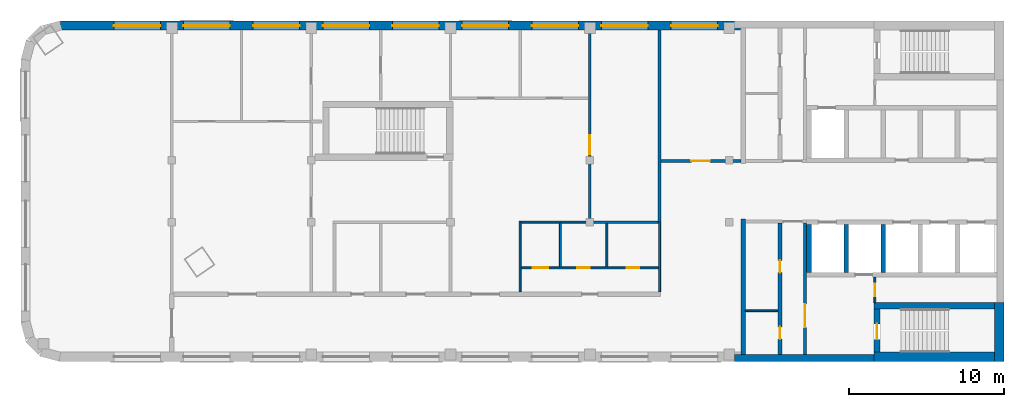
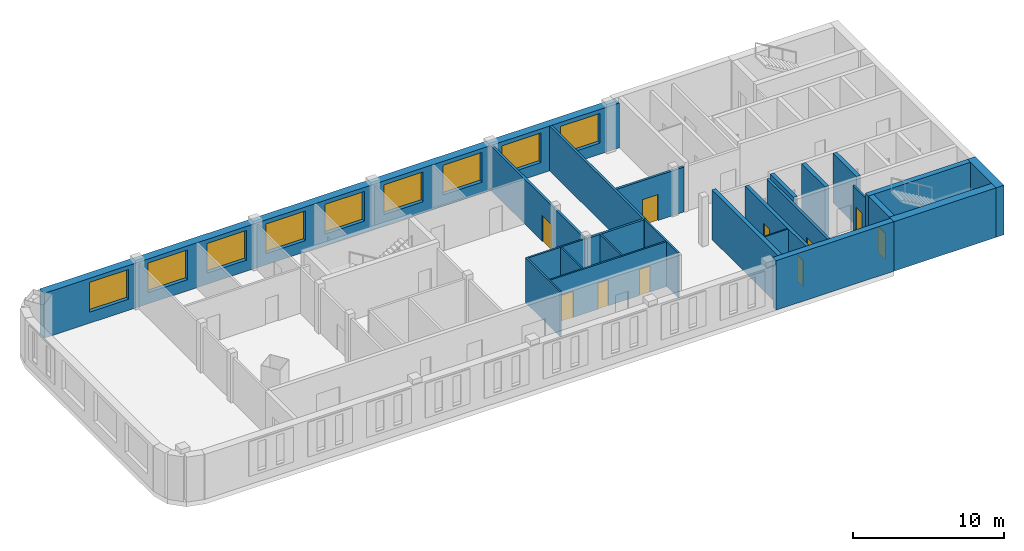
# One storey, part 3 of 6: 24 walls, 10 doors, 9 windows, 19 openings.
"""IFC4 building model written with IfcOpenShell, lengths in metres."""

from ifc_helpers import new_model, si_unit, direction, frame, frame_2d, origin, place, context, subcontext, project, spatial, rectangle, extrude, material, layer, layer_set, type_object, element, fill, save


model = new_model("IFC4")

# Units and contexts
model_context = context("Model", 3, precision=1e-05, world=origin(), true_north=direction((0.0, 1.0)))
body_context = subcontext(model_context, "Body", "Model", "MODEL_VIEW")
ifc_project = project(units=[si_unit("LENGTHUNIT", "METRE"), si_unit("AREAUNIT", "SQUARE_METRE"), si_unit("VOLUMEUNIT", "CUBIC_METRE"), si_unit("PLANEANGLEUNIT", "RADIAN"), si_unit("MASSUNIT", "GRAM", prefix="KILO")], contexts=[model_context])

# Site, building, storey
site_placement = place(None, origin())
site = spatial("IfcSite", under=ifc_project, at=site_placement, CompositionType="ELEMENT")
building_placement = place(site_placement, origin())
building = spatial("IfcBuilding", under=site, at=building_placement, Name="Skarvind Civic Tower", CompositionType="ELEMENT")
storey_placement = place(building_placement, frame((0.0, 0.0, 249.5)))
storey = spatial("IfcBuildingStorey", under=building, at=storey_placement, Name="L59", CompositionType="ELEMENT", Elevation=249.5)

# Wall
ifc_material_1 = material(Name="Acoustic gypsum board on steel studs", Category="steel")
ifc_layer_1 = layer(ifc_material_1, 0.175048828125)
ifc_layer_set_1 = layer_set([ifc_layer_1], Name="ACOUSTIC MEETING-ROOM PARTITION 175")
wall_type_1 = type_object("IfcWallType", Name="ACOUSTIC MEETING-ROOM PARTITION 175", PredefinedType="PARTITIONING", material=ifc_layer_set_1)
wall_1_placement = place(storey_placement, frame((81.337890625, 126.0, 0.0), z_axis=(0.0, 0.0, 1.0), x_axis=(1.0, 0.0, 0.0)))
element("IfcWall", 1, at=wall_1_placement, inside=storey, type_object=wall_type_1, Name="Partition 59.021", PredefinedType="PARTITIONING", context=body_context, shape_type="SweptSolid", body=[
    extrude(rectangle(XDim=4.32421875, YDim=0.175048828125, at=frame_2d((2.162109375, 0.0))), origin(), (0.0, 0.0, 1.0), 3.625),
])

# Wall, opening, door
wall_2_placement = place(storey_placement, frame((81.25, 125.912109375, 0.0), z_axis=(0.0, 0.0, 1.0), x_axis=(0.0, 1.0, 0.0)))
wall_2 = element("IfcWall", 2, at=wall_2_placement, inside=storey, type_object=wall_type_1, Name="Partition 59.022", PredefinedType="PARTITIONING", context=body_context, shape_type="SweptSolid", body=[
    extrude(rectangle(XDim=12.48779296875, YDim=0.175048828125, at=frame_2d((6.243896484375, 0.0))), origin(), (0.0, 0.0, 1.0), 3.625),
])
opening_1_placement = place(wall_2_placement, frame((4.489501953125, 0.0, 0.0)))
opening_1 = element("IfcOpeningElement", 3, at=opening_1_placement, cuts=wall_2, Name="Opening L59-D017", PredefinedType="OPENING", context=body_context, shape_type="SweptSolid", body=[
    extrude(rectangle(XDim=1.199951171875, YDim=2.10009765625, at=frame_2d((0.60009765625, 1.050048828125))), frame((0.0, 0.097412109375, 0.0), z_axis=(0.0, -1.0, 0.0), x_axis=(1.0, 0.0, 0.0)), (0.0, 0.0, 1.0), 0.195068359375),
])
ifc_material_2 = material(Name="Timber door leaf", Category="wood")
door_type_1 = type_object("IfcDoorType", Name="DOOR 1200X2100 DOUBLE TIMBER", OperationType="NOTDEFINED", PredefinedType="DOOR", material=ifc_material_2)
door_1_placement = place(opening_1_placement, origin())
door_1 = element("IfcDoor", 4, at=door_1_placement, inside=storey, type_object=door_type_1, Name="Door L59-D017", OperationType="DOUBLE_DOOR_SINGLE_SWING", OverallHeight=2.10009765625, OverallWidth=1.199951171875, PredefinedType="DOOR", context=body_context, shape_type="SweptSolid", body=[
    extrude(rectangle(XDim=1.199951171875, YDim=2.10009765625, at=frame_2d((0.60009765625, 1.050048828125))), frame((0.0, 0.02490234375, 0.0), z_axis=(0.0, -1.0, 0.0), x_axis=(1.0, 0.0, 0.0)), (0.0, 0.0, 1.0), 0.050048828125),
])
fill(opening_1, door_1)

# Wall
wall_3_placement = place(storey_placement, frame((85.75, 125.912109375, 0.0), z_axis=(0.0, 0.0, 1.0), x_axis=(0.0, 1.0, 0.0)))
element("IfcWall", 5, at=wall_3_placement, inside=storey, type_object=wall_type_1, Name="Partition 59.025", PredefinedType="PARTITIONING", context=body_context, shape_type="SweptSolid", body=[
    extrude(rectangle(XDim=12.48779296875, YDim=0.175048828125, at=frame_2d((6.243896484375, 0.0))), origin(), (0.0, 0.0, 1.0), 3.625),
])

# Wall, opening, door
wall_4_placement = place(storey_placement, frame((85.837890625, 129.949951171875, 0.0), z_axis=(0.0, 0.0, 1.0), x_axis=(1.0, 0.0, 0.0)))
wall_4 = element("IfcWall", 6, at=wall_4_placement, inside=storey, type_object=wall_type_1, Name="Partition 59.026", PredefinedType="PARTITIONING", context=body_context, shape_type="SweptSolid", body=[
    extrude(rectangle(XDim=5.162109375, YDim=0.175048828125, at=frame_2d((2.5810546875, 0.0))), origin(), (0.0, 0.0, 1.0), 3.625),
])
opening_2_placement = place(wall_4_placement, frame((1.970947265625, 0.0, 0.0)))
opening_2 = element("IfcOpeningElement", 7, at=opening_2_placement, cuts=wall_4, Name="Opening L59-D001", PredefinedType="OPENING", context=body_context, shape_type="SweptSolid", body=[
    extrude(rectangle(XDim=1.199951171875, YDim=2.10009765625, at=frame_2d((0.60009765625, 1.050048828125))), frame((0.0, 0.097412109375, 0.0), z_axis=(0.0, -1.0, 0.0), x_axis=(1.0, 0.0, 0.0)), (0.0, 0.0, 1.0), 0.195068359375),
])
door_2_placement = place(opening_2_placement, origin())
door_2 = element("IfcDoor", 8, at=door_2_placement, inside=storey, type_object=door_type_1, Name="Door L59-D001", OperationType="DOUBLE_DOOR_SINGLE_SWING", OverallHeight=2.10009765625, OverallWidth=1.199951171875, PredefinedType="DOOR", context=body_context, shape_type="SweptSolid", body=[
    extrude(rectangle(XDim=1.199951171875, YDim=2.10009765625, at=frame_2d((0.60009765625, 1.050048828125))), frame((0.0, 0.02490234375, 0.0), z_axis=(0.0, -1.0, 0.0), x_axis=(1.0, 0.0, 0.0)), (0.0, 0.0, 1.0), 0.050048828125),
])
fill(opening_2, door_2)

ifc_material_3 = material(Name="Fire-rated masonry partition", Category="masonry")
ifc_layer_2 = layer(ifc_material_3, 0.199951171875)
ifc_layer_set_2 = layer_set([ifc_layer_2], Name="Core enclosure wall 200")
wall_type_2 = type_object("IfcWallType", Name="Core enclosure wall 200", PredefinedType="PARTITIONING", material=ifc_layer_set_2)
wall_5_placement = place(storey_placement, frame((95.14990234375, 117.449951171875, 0.0), z_axis=(0.0, 0.0, 1.0), x_axis=(0.0, 1.0, 0.0)))
wall_5 = element("IfcWall", 9, at=wall_5_placement, inside=storey, type_object=wall_type_2, Name="Core wall C1", PredefinedType="PARTITIONING", context=body_context, shape_type="SweptSolid", body=[
    extrude(rectangle(XDim=8.5, YDim=0.199951171875, at=frame_2d((4.25, 0.0))), origin(), (0.0, 0.0, 1.0), 3.625),
])
opening_3_placement = place(wall_5_placement, frame((1.75, 0.0, 0.0)))
opening_3 = element("IfcOpeningElement", 10, at=opening_3_placement, cuts=wall_5, Name="Opening D-L59-C1-08", PredefinedType="OPENING", context=body_context, shape_type="SweptSolid", body=[
    extrude(rectangle(XDim=1.5, YDim=2.10009765625, at=frame_2d((0.75, 1.050048828125))), frame((0.0, 0.10986328125, 0.0), z_axis=(0.0, -1.0, 0.0), x_axis=(1.0, 0.0, 0.0)), (0.0, 0.0, 1.0), 0.219970703125),
])
ifc_material_4 = material(Name="Fire-rated steel door", Category="steel")
door_type_2 = type_object("IfcDoorType", Name="Fire door 1500", OperationType="NOTDEFINED", PredefinedType="DOOR", material=ifc_material_4)
door_3_placement = place(opening_3_placement, origin())
door_3 = element("IfcDoor", 11, at=door_3_placement, inside=storey, type_object=door_type_2, Name="Fire door", OperationType="DOUBLE_DOOR_SINGLE_SWING", OverallHeight=2.10009765625, OverallWidth=1.5, PredefinedType="DOOR", context=body_context, shape_type="SweptSolid", body=[
    extrude(rectangle(XDim=1.5, YDim=2.10009765625, at=frame_2d((0.75, 1.050048828125))), frame((0.0, 0.02490234375, 0.0), z_axis=(0.0, -1.0, 0.0), x_axis=(1.0, 0.0, 0.0)), (0.0, 0.0, 1.0), 0.050048828125),
])
fill(opening_3, door_3)

# Walls
ifc_material_5 = material(Name="Fire-rated plasterboard partition")
ifc_layer_3 = layer(ifc_material_5, 0.10009765625)
ifc_layer_set_3 = layer_set([ifc_layer_3], Name="Core partition wall 100")
wall_type_3 = type_object("IfcWallType", Name="Core partition wall 100", PredefinedType="PARTITIONING", material=ifc_layer_set_3)
wall_6_placement = place(storey_placement, frame((93.39990234375, 120.280029296875, 0.0), z_axis=(0.0, 0.0, 1.0), x_axis=(-1.0, 0.0, 0.0)))
element("IfcWall", 12, at=wall_6_placement, inside=storey, type_object=wall_type_3, Name="Core wall C1", PredefinedType="PARTITIONING", context=body_context, shape_type="SweptSolid", body=[
    extrude(rectangle(XDim=2.099853515625, YDim=0.10009765625, at=frame_2d((1.0498046875, 0.0))), origin(), (0.0, 0.0, 1.0), 3.625),
])
ifc_material_6 = material(Name="Concrete C60", Category="concrete")
ifc_layer_4 = layer(ifc_material_6, 0.300048828125)
ifc_layer_set_4 = layer_set([ifc_layer_4], Name="Core wall 300 C60")
wall_type_4 = type_object("IfcWallType", Name="Core wall 300 C60", PredefinedType="SHEAR", material=ifc_layer_set_4)
for number, where, z_axis, x_axis, name in (
    (13, (100.199951171875, 125.85009765625, 0.0), (0.0, 0.0, 1.0), (0.0, -1.0, 0.0), "Core wall C1 north lift row division 3 L59"),
    (14, (97.800048828125, 125.85009765625, 0.0), (0.0, 0.0, 1.0), (0.0, -1.0, 0.0), "Core wall C1 north lift row division 4 L59"),
    (15, (95.39990234375, 125.85009765625, 0.0), (0.0, 0.0, 1.0), (0.0, -1.0, 0.0), "Core wall C1 north lift row division 5 L59"),
):
    element("IfcWall", number, at=place(storey_placement, frame(where, z_axis=z_axis, x_axis=x_axis)), inside=storey, type_object=wall_type_4, Name=name, PredefinedType="SHEAR", context=body_context, shape_type="SweptSolid", body=[
        extrude(rectangle(XDim=3.10009765625, YDim=0.300048828125, at=frame_2d((1.550048828125, 0.0))), origin(), (0.0, 0.0, 1.0), 4.0),
    ])
wall_7_placement = place(storey_placement, frame((91.14990234375, 126.199951171875, 0.0), z_axis=(0.0, 0.0, 1.0), x_axis=(0.0, -1.0, 0.0)))
element("IfcWall", 16, at=wall_7_placement, inside=storey, type_object=wall_type_4, Name="Core wall C1 north inner face L59", PredefinedType="SHEAR", context=body_context, shape_type="SweptSolid", body=[
    extrude(rectangle(XDim=8.75, YDim=0.300048828125, at=frame_2d((4.375, 0.0))), origin(), (0.0, 0.0, 1.0), 4.0),
])
ifc_layer_5 = layer(ifc_material_6, 0.39990234375)
ifc_layer_set_5 = layer_set([ifc_layer_5], Name="Core wall 400 C60")
wall_type_5 = type_object("IfcWallType", Name="Core wall 400 C60", PredefinedType="SHEAR", material=ifc_layer_set_5)
wall_8_placement = place(storey_placement, frame((107.39990234375, 120.60009765625, 0.0), z_axis=(0.0, 0.0, 1.0), x_axis=(-1.0, 0.0, 0.0)))
element("IfcWall", 17, at=wall_8_placement, inside=storey, type_object=wall_type_5, Name="Core wall C1 north stair inner L59", PredefinedType="SHEAR", context=body_context, shape_type="SweptSolid", body=[
    extrude(rectangle(XDim=7.7998046875, YDim=0.39990234375, at=frame_2d((3.89990234375, 0.0))), origin(), (0.0, 0.0, 1.0), 4.0),
])

# Wall, opening, door
wall_9_placement = place(storey_placement, frame((99.800048828125, 120.39990234375, 0.0), z_axis=(0.0, 0.0, 1.0), x_axis=(0.0, -1.0, 0.0)))
wall_9 = element("IfcWall", 18, at=wall_9_placement, inside=storey, type_object=wall_type_5, Name="Core wall C1 north stair end L59", PredefinedType="SHEAR", context=body_context, shape_type="SweptSolid", body=[
    extrude(rectangle(XDim=2.7998046875, YDim=0.39990234375, at=frame_2d((1.39990234375, 0.0))), origin(), (0.0, 0.0, 1.0), 4.0),
])
opening_4_placement = place(wall_9_placement, frame((0.97509765625, 0.0, 0.0)))
opening_4 = element("IfcOpeningElement", 19, at=opening_4_placement, cuts=wall_9, Name="Opening D-L59-C1-09", PredefinedType="OPENING", context=body_context, shape_type="SweptSolid", body=[
    extrude(rectangle(XDim=1.0, YDim=2.10009765625, at=frame_2d((0.5, 1.050048828125))), frame((0.0, 0.2099609375, 0.0), z_axis=(0.0, -1.0, 0.0), x_axis=(1.0, 0.0, 0.0)), (0.0, 0.0, 1.0), 0.419921875),
])
door_type_3 = type_object("IfcDoorType", Name="Fire door 1000", OperationType="NOTDEFINED", PredefinedType="DOOR", material=ifc_material_4)
door_4_placement = place(opening_4_placement, origin())
door_4 = element("IfcDoor", 20, at=door_4_placement, inside=storey, type_object=door_type_3, Name="Fire door", OperationType="SINGLE_SWING_LEFT", OverallHeight=2.10009765625, OverallWidth=1.0, PredefinedType="DOOR", context=body_context, shape_type="SweptSolid", body=[
    extrude(rectangle(XDim=1.0, YDim=2.10009765625, at=frame_2d((0.5, 1.050048828125))), frame((0.0, 0.02490234375, 0.0), z_axis=(0.0, -1.0, 0.0), x_axis=(1.0, 0.0, 0.0)), (0.0, 0.0, 1.0), 0.050048828125),
])
fill(opening_4, door_4)

# Walls
ifc_layer_6 = layer(ifc_material_6, 0.449951171875)
ifc_layer_set_6 = layer_set([ifc_layer_6], Name="Core wall 450 C60")
wall_type_6 = type_object("IfcWallType", Name="Core wall 450 C60", PredefinedType="SHEAR", material=ifc_layer_set_6)
wall_10_placement = place(storey_placement, frame((99.60009765625, 117.22509765625, 0.0), z_axis=(0.0, 0.0, 1.0), x_axis=(-1.0, 0.0, 0.0)))
element("IfcWall", 21, at=wall_10_placement, inside=storey, type_object=wall_type_6, Name="Core wall C1 north side L59", PredefinedType="SHEAR", context=body_context, shape_type="SweptSolid", body=[
    extrude(rectangle(XDim=9.0, YDim=0.449951171875, at=frame_2d((4.5, 0.0))), origin(), (0.0, 0.0, 1.0), 4.0),
])
ifc_layer_7 = layer(ifc_material_6, 0.60009765625)
ifc_layer_set_7 = layer_set([ifc_layer_7], Name="Core wall 600 C60")
wall_type_7 = type_object("IfcWallType", Name="Core wall 600 C60", PredefinedType="SHEAR", material=ifc_layer_set_7)
wall_11_placement = place(storey_placement, frame((107.699951171875, 120.800048828125, 0.0), z_axis=(0.0, 0.0, 1.0), x_axis=(0.0, -1.0, 0.0)))
element("IfcWall", 22, at=wall_11_placement, inside=storey, type_object=wall_type_7, Name="Core wall C1 tip at the north stair L59", PredefinedType="SHEAR", context=body_context, shape_type="SweptSolid", body=[
    extrude(rectangle(XDim=3.800048828125, YDim=0.60009765625, at=frame_2d((1.89990234375, 0.0))), origin(), (0.0, 0.0, 1.0), 4.0),
])
wall_12_placement = place(storey_placement, frame((107.39990234375, 117.300048828125, 0.0), z_axis=(0.0, 0.0, 1.0), x_axis=(-1.0, 0.0, 0.0)))
element("IfcWall", 23, at=wall_12_placement, inside=storey, type_object=wall_type_7, Name="Core wall C1 north side at the stair L59", PredefinedType="SHEAR", context=body_context, shape_type="SweptSolid", body=[
    extrude(rectangle(XDim=7.7998046875, YDim=0.60009765625, at=frame_2d((3.89990234375, 0.0))), origin(), (0.0, 0.0, 1.0), 4.0),
])

# Wall, opening, door
ifc_layer_8 = layer(ifc_material_3, 0.125)
ifc_layer_set_8 = layer_set([ifc_layer_8], Name="Riser wall 125")
wall_type_8 = type_object("IfcWallType", Name="Riser wall 125", PredefinedType="PARTITIONING", material=ifc_layer_set_8)
wall_13_placement = place(storey_placement, frame((99.66259765625, 120.800048828125, 0.0), z_axis=(0.0, 0.0, 1.0), x_axis=(0.0, 1.0, 0.0)))
wall_13 = element("IfcWall", 24, at=wall_13_placement, inside=storey, type_object=wall_type_8, Name="Core wall C1", PredefinedType="PARTITIONING", context=body_context, shape_type="SweptSolid", body=[
    extrude(rectangle(XDim=1.64990234375, YDim=0.125, at=frame_2d((0.824951171875, 0.0))), origin(), (0.0, 0.0, 1.0), 3.625),
])
opening_5_placement = place(wall_13_placement, frame((0.425048828125, 0.0, 0.0)))
opening_5 = element("IfcOpeningElement", 25, at=opening_5_placement, cuts=wall_13, Name="Opening D-L59-C1-10", PredefinedType="OPENING", context=body_context, shape_type="SweptSolid", body=[
    extrude(rectangle(XDim=0.800048828125, YDim=2.10009765625, at=frame_2d((0.39990234375, 1.050048828125))), frame((0.0, 0.072509765625, 0.0), z_axis=(0.0, -1.0, 0.0), x_axis=(1.0, 0.0, 0.0)), (0.0, 0.0, 1.0), 0.14501953125),
])
door_type_4 = type_object("IfcDoorType", Name="Core riser door 800", OperationType="NOTDEFINED", PredefinedType="DOOR", material=ifc_material_4)
door_5_placement = place(opening_5_placement, origin())
door_5 = element("IfcDoor", 26, at=door_5_placement, inside=storey, type_object=door_type_4, Name="Riser door", OperationType="SINGLE_SWING_RIGHT", OverallHeight=2.10009765625, OverallWidth=0.800048828125, PredefinedType="DOOR", context=body_context, shape_type="SweptSolid", body=[
    extrude(rectangle(XDim=0.800048828125, YDim=2.10009765625, at=frame_2d((0.39990234375, 1.050048828125))), frame((0.0, 0.02490234375, 0.0), z_axis=(0.0, -1.0, 0.0), x_axis=(1.0, 0.0, 0.0)), (0.0, 0.0, 1.0), 0.050048828125),
])
fill(opening_5, door_5)

# Wall, openings, doors
ifc_layer_9 = layer(ifc_material_3, 0.25)
ifc_layer_set_9 = layer_set([ifc_layer_9], Name="Service block wall 250")
wall_type_9 = type_object("IfcWallType", Name="Service block wall 250", PredefinedType="PARTITIONING", material=ifc_layer_set_9)
wall_14_placement = place(storey_placement, frame((93.52490234375, 117.449951171875, 0.0), z_axis=(0.0, 0.0, 1.0), x_axis=(0.0, 1.0, 0.0)))
wall_14 = element("IfcWall", 27, at=wall_14_placement, inside=storey, type_object=wall_type_9, Name="Core wall C1", PredefinedType="PARTITIONING", context=body_context, shape_type="SweptSolid", body=[
    extrude(rectangle(XDim=8.5, YDim=0.25, at=frame_2d((4.25, 0.0))), origin(), (0.0, 0.0, 1.0), 3.625),
])
opening_6_placement = place(wall_14_placement, frame((5.2900390625, 0.0, 0.0)))
opening_6 = element("IfcOpeningElement", 28, at=opening_6_placement, cuts=wall_14, Name="Opening D-L59-C1-11", PredefinedType="OPENING", context=body_context, shape_type="SweptSolid", body=[
    extrude(rectangle(XDim=0.800048828125, YDim=2.10009765625, at=frame_2d((0.39990234375, 1.050048828125))), frame((0.0, 0.135009765625, 0.0), z_axis=(0.0, -1.0, 0.0), x_axis=(1.0, 0.0, 0.0)), (0.0, 0.0, 1.0), 0.27001953125),
])
opening_7_placement = place(wall_14_placement, frame((0.989990234375, 0.0, 0.0)))
opening_7 = element("IfcOpeningElement", 29, at=opening_7_placement, cuts=wall_14, Name="Opening D-L59-C1-12", PredefinedType="OPENING", context=body_context, shape_type="SweptSolid", body=[
    extrude(rectangle(XDim=0.800048828125, YDim=2.10009765625, at=frame_2d((0.39990234375, 1.050048828125))), frame((0.0, 0.135009765625, 0.0), z_axis=(0.0, -1.0, 0.0), x_axis=(1.0, 0.0, 0.0)), (0.0, 0.0, 1.0), 0.27001953125),
])
door_6_placement = place(opening_6_placement, origin())
door_6 = element("IfcDoor", 30, at=door_6_placement, inside=storey, type_object=door_type_4, Name="Riser door", OperationType="SINGLE_SWING_LEFT", OverallHeight=2.10009765625, OverallWidth=0.800048828125, PredefinedType="DOOR", context=body_context, shape_type="SweptSolid", body=[
    extrude(rectangle(XDim=0.800048828125, YDim=2.10009765625, at=frame_2d((0.39990234375, 1.050048828125))), frame((0.0, 0.02490234375, 0.0), z_axis=(0.0, -1.0, 0.0), x_axis=(1.0, 0.0, 0.0)), (0.0, 0.0, 1.0), 0.050048828125),
])
fill(opening_6, door_6)
door_7_placement = place(opening_7_placement, origin())
door_7 = element("IfcDoor", 31, at=door_7_placement, inside=storey, type_object=door_type_4, Name="Riser door", OperationType="SINGLE_SWING_RIGHT", OverallHeight=2.10009765625, OverallWidth=0.800048828125, PredefinedType="DOOR", context=body_context, shape_type="SweptSolid", body=[
    extrude(rectangle(XDim=0.800048828125, YDim=2.10009765625, at=frame_2d((0.39990234375, 1.050048828125))), frame((0.0, 0.02490234375, 0.0), z_axis=(0.0, -1.0, 0.0), x_axis=(1.0, 0.0, 0.0)), (0.0, 0.0, 1.0), 0.050048828125),
])
fill(opening_7, door_7)

# Wall
ifc_material_7 = material(Name="Moisture-resistant gypsum board on steel studs", Category="steel")
ifc_layer_10 = layer(ifc_material_7, 0.125)
ifc_layer_set_10 = layer_set([ifc_layer_10], Name="WC PARTITION 125")
wall_type_10 = type_object("IfcWallType", Name="WC PARTITION 125", PredefinedType="PARTITIONING", material=ifc_layer_set_10)
wall_15_placement = place(storey_placement, frame((76.75, 121.5, 0.0), z_axis=(0.0, 0.0, 1.0), x_axis=(0.0, 1.0, 0.0)))
element("IfcWall", 32, at=wall_15_placement, inside=storey, type_object=wall_type_10, Name="Partition 59.016", PredefinedType="PARTITIONING", context=body_context, shape_type="SweptSolid", body=[
    extrude(rectangle(XDim=4.56201171875, YDim=0.125, at=frame_2d((2.281005859375, 0.0))), origin(), (0.0, 0.0, 1.0), 3.625),
])

# Wall, openings, doors
wall_16_placement = place(storey_placement, frame((76.81201171875, 123.050048828125, 0.0), z_axis=(0.0, 0.0, 1.0), x_axis=(1.0, 0.0, 0.0)))
wall_16 = element("IfcWall", 33, at=wall_16_placement, inside=storey, type_object=wall_type_10, Name="Partition 59.017", PredefinedType="PARTITIONING", context=body_context, shape_type="SweptSolid", body=[
    extrude(rectangle(XDim=8.8759765625, YDim=0.125, at=frame_2d((4.43798828125, 0.0))), origin(), (0.0, 0.0, 1.0), 3.625),
])
opening_8_placement = place(wall_16_placement, frame((6.81689453125, 0.0, 0.0)))
opening_8 = element("IfcOpeningElement", 34, at=opening_8_placement, cuts=wall_16, Name="Opening L59-D003", PredefinedType="OPENING", context=body_context, shape_type="SweptSolid", body=[
    extrude(rectangle(XDim=0.800048828125, YDim=2.10009765625, at=frame_2d((0.39990234375, 1.050048828125))), frame((0.0, 0.072509765625, 0.0), z_axis=(0.0, -1.0, 0.0), x_axis=(1.0, 0.0, 0.0)), (0.0, 0.0, 1.0), 0.14501953125),
])
opening_9_placement = place(wall_16_placement, frame((3.637939453125, 0.0, 0.0)))
opening_9 = element("IfcOpeningElement", 35, at=opening_9_placement, cuts=wall_16, Name="Opening L59-D004", PredefinedType="OPENING", context=body_context, shape_type="SweptSolid", body=[
    extrude(rectangle(XDim=0.800048828125, YDim=2.10009765625, at=frame_2d((0.39990234375, 1.050048828125))), frame((0.0, 0.072509765625, 0.0), z_axis=(0.0, -1.0, 0.0), x_axis=(1.0, 0.0, 0.0)), (0.0, 0.0, 1.0), 0.14501953125),
])
opening_10_placement = place(wall_16_placement, frame((0.759033203125, 0.0, 0.0)))
opening_10 = element("IfcOpeningElement", 36, at=opening_10_placement, cuts=wall_16, Name="Opening L59-D005", PredefinedType="OPENING", context=body_context, shape_type="SweptSolid", body=[
    extrude(rectangle(XDim=1.0, YDim=2.10009765625, at=frame_2d((0.5, 1.050048828125))), frame((0.0, 0.072509765625, 0.0), z_axis=(0.0, -1.0, 0.0), x_axis=(1.0, 0.0, 0.0)), (0.0, 0.0, 1.0), 0.14501953125),
])
door_type_5 = type_object("IfcDoorType", Name="D1 1000x2100", OperationType="NOTDEFINED", PredefinedType="DOOR", material=ifc_material_2)
door_8_placement = place(opening_10_placement, origin())
door_8 = element("IfcDoor", 37, at=door_8_placement, inside=storey, type_object=door_type_5, Name="Door L59-D005", OperationType="SINGLE_SWING_LEFT", OverallHeight=2.10009765625, OverallWidth=1.0, PredefinedType="DOOR", context=body_context, shape_type="SweptSolid", body=[
    extrude(rectangle(XDim=1.0, YDim=2.10009765625, at=frame_2d((0.5, 1.050048828125))), frame((0.0, 0.02490234375, 0.0), z_axis=(0.0, -1.0, 0.0), x_axis=(1.0, 0.0, 0.0)), (0.0, 0.0, 1.0), 0.050048828125),
])
fill(opening_10, door_8)
door_type_6 = type_object("IfcDoorType", Name="DOOR 800X2100 TIMBER", OperationType="NOTDEFINED", PredefinedType="DOOR", material=ifc_material_2)
door_9_placement = place(opening_8_placement, origin())
door_9 = element("IfcDoor", 38, at=door_9_placement, inside=storey, type_object=door_type_6, Name="Door L59-D003", OperationType="SINGLE_SWING_RIGHT", OverallHeight=2.10009765625, OverallWidth=0.800048828125, PredefinedType="DOOR", context=body_context, shape_type="SweptSolid", body=[
    extrude(rectangle(XDim=0.800048828125, YDim=2.10009765625, at=frame_2d((0.39990234375, 1.050048828125))), frame((0.0, 0.02490234375, 0.0), z_axis=(0.0, -1.0, 0.0), x_axis=(1.0, 0.0, 0.0)), (0.0, 0.0, 1.0), 0.050048828125),
])
fill(opening_8, door_9)
door_10_placement = place(opening_9_placement, origin())
door_10 = element("IfcDoor", 39, at=door_10_placement, inside=storey, type_object=door_type_6, Name="Door L59-D004", OperationType="SINGLE_SWING_LEFT", OverallHeight=2.10009765625, OverallWidth=0.800048828125, PredefinedType="DOOR", context=body_context, shape_type="SweptSolid", body=[
    extrude(rectangle(XDim=0.800048828125, YDim=2.10009765625, at=frame_2d((0.39990234375, 1.050048828125))), frame((0.0, 0.02490234375, 0.0), z_axis=(0.0, -1.0, 0.0), x_axis=(1.0, 0.0, 0.0)), (0.0, 0.0, 1.0), 0.050048828125),
])
fill(opening_9, door_10)

# Walls
wall_17_placement = place(storey_placement, frame((76.81201171875, 126.0, 0.0), z_axis=(0.0, 0.0, 1.0), x_axis=(1.0, 0.0, 0.0)))
element("IfcWall", 40, at=wall_17_placement, inside=storey, type_object=wall_type_10, Name="Partition 59.018", PredefinedType="PARTITIONING", context=body_context, shape_type="SweptSolid", body=[
    extrude(rectangle(XDim=4.44091796875, YDim=0.125, at=frame_2d((2.220458984375, 0.0))), origin(), (0.0, 0.0, 1.0), 3.625),
])
wall_18_placement = place(storey_placement, frame((79.35009765625, 125.93798828125, 0.0), z_axis=(0.0, 0.0, 1.0), x_axis=(0.0, -1.0, 0.0)))
element("IfcWall", 41, at=wall_18_placement, inside=storey, type_object=wall_type_10, Name="Partition 59.020", PredefinedType="PARTITIONING", context=body_context, shape_type="SweptSolid", body=[
    extrude(rectangle(XDim=2.825927734375, YDim=0.125, at=frame_2d((1.4130859375, 0.0))), origin(), (0.0, 0.0, 1.0), 3.625),
])
wall_19_placement = place(storey_placement, frame((82.35009765625, 125.912109375, 0.0), z_axis=(0.0, 0.0, 1.0), x_axis=(0.0, -1.0, 0.0)))
element("IfcWall", 42, at=wall_19_placement, inside=storey, type_object=wall_type_10, Name="Partition 59.023", PredefinedType="PARTITIONING", context=body_context, shape_type="SweptSolid", body=[
    extrude(rectangle(XDim=2.800048828125, YDim=0.125, at=frame_2d((1.39990234375, 0.0))), origin(), (0.0, 0.0, 1.0), 3.625),
])
wall_20_placement = place(storey_placement, frame((85.75, 121.5, 0.0), z_axis=(0.0, 0.0, 1.0), x_axis=(0.0, 1.0, 0.0)))
element("IfcWall", 43, at=wall_20_placement, inside=storey, type_object=wall_type_10, Name="Partition 59.024", PredefinedType="PARTITIONING", context=body_context, shape_type="SweptSolid", body=[
    extrude(rectangle(XDim=4.5029296875, YDim=0.125, at=frame_2d((2.25146484375, 0.0))), origin(), (0.0, 0.0, 1.0), 3.625),
])

# Wall, openings, windows
ifc_material_8 = material(Name="Standing-seam zinc cladding on insulated backing")
ifc_layer_11 = layer(ifc_material_8, 0.60009765625)
ifc_layer_set_11 = layer_set([ifc_layer_11], Name="WX2 ZINC-CLAD FACADE WALL 600")
wall_type_11 = type_object("IfcWallType", Name="WX2 ZINC-CLAD FACADE WALL 600", PredefinedType="SOLIDWALL", material=ifc_layer_set_11)
wall_21_placement = place(storey_placement, frame((47.070068359375, 138.699951171875, 0.0), z_axis=(0.0, 0.0, 1.0), x_axis=(1.0, 0.0, 0.0)))
wall_21 = element("IfcWall", 44, at=wall_21_placement, inside=storey, type_object=wall_type_11, Name="ZINC-CLAD FACADE WALL", PredefinedType="SOLIDWALL", context=body_context, shape_type="SweptSolid", body=[
    extrude(rectangle(XDim=43.909912109375, YDim=0.60009765625, at=frame_2d((21.955078125, 0.0))), origin(), (0.0, 0.0, 1.0), 3.625),
])
opening_11_placement = place(wall_21_placement, frame((3.429931640625, 0.0, 0.89990234375)))
opening_11 = element("IfcOpeningElement", 45, at=opening_11_placement, cuts=wall_21, Name="Opening WN4", PredefinedType="OPENING", context=body_context, shape_type="SweptSolid", body=[
    extrude(rectangle(XDim=3.0, YDim=2.39990234375, at=frame_2d((1.5, 1.199951171875))), frame((0.0, 0.31005859375, 0.0), z_axis=(0.0, -1.0, 0.0), x_axis=(1.0, 0.0, 0.0)), (0.0, 0.0, 1.0), 0.6201171875),
])
opening_12_placement = place(wall_21_placement, frame((7.929931640625, 0.0, 0.89990234375)))
opening_12 = element("IfcOpeningElement", 46, at=opening_12_placement, cuts=wall_21, Name="Opening WN4", PredefinedType="OPENING", context=body_context, shape_type="SweptSolid", body=[
    extrude(rectangle(XDim=3.0, YDim=2.39990234375, at=frame_2d((1.5, 1.199951171875))), frame((0.0, 0.31005859375, 0.0), z_axis=(0.0, -1.0, 0.0), x_axis=(1.0, 0.0, 0.0)), (0.0, 0.0, 1.0), 0.6201171875),
])
opening_13_placement = place(wall_21_placement, frame((12.429931640625, 0.0, 0.89990234375)))
opening_13 = element("IfcOpeningElement", 47, at=opening_13_placement, cuts=wall_21, Name="Opening WN4", PredefinedType="OPENING", context=body_context, shape_type="SweptSolid", body=[
    extrude(rectangle(XDim=3.0, YDim=2.39990234375, at=frame_2d((1.5, 1.199951171875))), frame((0.0, 0.31005859375, 0.0), z_axis=(0.0, -1.0, 0.0), x_axis=(1.0, 0.0, 0.0)), (0.0, 0.0, 1.0), 0.6201171875),
])
opening_14_placement = place(wall_21_placement, frame((16.929931640625, 0.0, 0.89990234375)))
opening_14 = element("IfcOpeningElement", 48, at=opening_14_placement, cuts=wall_21, Name="Opening WN4", PredefinedType="OPENING", context=body_context, shape_type="SweptSolid", body=[
    extrude(rectangle(XDim=3.0, YDim=2.39990234375, at=frame_2d((1.5, 1.199951171875))), frame((0.0, 0.31005859375, 0.0), z_axis=(0.0, -1.0, 0.0), x_axis=(1.0, 0.0, 0.0)), (0.0, 0.0, 1.0), 0.6201171875),
])
opening_15_placement = place(wall_21_placement, frame((21.429931640625, 0.0, 0.89990234375)))
opening_15 = element("IfcOpeningElement", 49, at=opening_15_placement, cuts=wall_21, Name="Opening WN4", PredefinedType="OPENING", context=body_context, shape_type="SweptSolid", body=[
    extrude(rectangle(XDim=3.0, YDim=2.39990234375, at=frame_2d((1.5, 1.199951171875))), frame((0.0, 0.31005859375, 0.0), z_axis=(0.0, -1.0, 0.0), x_axis=(1.0, 0.0, 0.0)), (0.0, 0.0, 1.0), 0.6201171875),
])
opening_16_placement = place(wall_21_placement, frame((25.929931640625, 0.0, 0.89990234375)))
opening_16 = element("IfcOpeningElement", 50, at=opening_16_placement, cuts=wall_21, Name="Opening WN4", PredefinedType="OPENING", context=body_context, shape_type="SweptSolid", body=[
    extrude(rectangle(XDim=3.0, YDim=2.39990234375, at=frame_2d((1.5, 1.199951171875))), frame((0.0, 0.31005859375, 0.0), z_axis=(0.0, -1.0, 0.0), x_axis=(1.0, 0.0, 0.0)), (0.0, 0.0, 1.0), 0.6201171875),
])
opening_17_placement = place(wall_21_placement, frame((30.429931640625, 0.0, 0.89990234375)))
opening_17 = element("IfcOpeningElement", 51, at=opening_17_placement, cuts=wall_21, Name="Opening WN4", PredefinedType="OPENING", context=body_context, shape_type="SweptSolid", body=[
    extrude(rectangle(XDim=3.0, YDim=2.39990234375, at=frame_2d((1.5, 1.199951171875))), frame((0.0, 0.31005859375, 0.0), z_axis=(0.0, -1.0, 0.0), x_axis=(1.0, 0.0, 0.0)), (0.0, 0.0, 1.0), 0.6201171875),
])
opening_18_placement = place(wall_21_placement, frame((34.929931640625, 0.0, 0.89990234375)))
opening_18 = element("IfcOpeningElement", 52, at=opening_18_placement, cuts=wall_21, Name="Opening WN4", PredefinedType="OPENING", context=body_context, shape_type="SweptSolid", body=[
    extrude(rectangle(XDim=3.0, YDim=2.39990234375, at=frame_2d((1.5, 1.199951171875))), frame((0.0, 0.31005859375, 0.0), z_axis=(0.0, -1.0, 0.0), x_axis=(1.0, 0.0, 0.0)), (0.0, 0.0, 1.0), 0.6201171875),
])
opening_19_placement = place(wall_21_placement, frame((39.429931640625, 0.0, 0.89990234375)))
opening_19 = element("IfcOpeningElement", 53, at=opening_19_placement, cuts=wall_21, Name="Opening WN4", PredefinedType="OPENING", context=body_context, shape_type="SweptSolid", body=[
    extrude(rectangle(XDim=3.0, YDim=2.39990234375, at=frame_2d((1.5, 1.199951171875))), frame((0.0, 0.31005859375, 0.0), z_axis=(0.0, -1.0, 0.0), x_axis=(1.0, 0.0, 0.0)), (0.0, 0.0, 1.0), 0.6201171875),
])
ifc_material_9 = material(Name="Timber frame, double glazing, copper-lined reveal", Category="wood")
window_type = type_object("IfcWindowType", Name="WN4 COPPER-LINED WINDOW 3000 x 2400", PartitioningType="SINGLE_PANEL", PredefinedType="WINDOW", material=ifc_material_9)
window_1_placement = place(opening_11_placement, origin())
window_1 = element("IfcWindow", 54, at=window_1_placement, inside=storey, type_object=window_type, Name="WN4 WINDOW", OverallHeight=2.39990234375, OverallWidth=3.0, PartitioningType="SINGLE_PANEL", PredefinedType="WINDOW", context=body_context, shape_type="SweptSolid", body=[
    extrude(rectangle(XDim=3.0, YDim=2.39990234375, at=frame_2d((1.5, 1.199951171875))), frame((0.0, 0.030029296875, 0.0), z_axis=(0.0, -1.0, 0.0), x_axis=(1.0, 0.0, 0.0)), (0.0, 0.0, 1.0), 0.06005859375),
])
fill(opening_11, window_1)
window_2_placement = place(opening_12_placement, origin())
window_2 = element("IfcWindow", 55, at=window_2_placement, inside=storey, type_object=window_type, Name="WN4 WINDOW", OverallHeight=2.39990234375, OverallWidth=3.0, PartitioningType="SINGLE_PANEL", PredefinedType="WINDOW", context=body_context, shape_type="SweptSolid", body=[
    extrude(rectangle(XDim=3.0, YDim=2.39990234375, at=frame_2d((1.5, 1.199951171875))), frame((0.0, 0.030029296875, 0.0), z_axis=(0.0, -1.0, 0.0), x_axis=(1.0, 0.0, 0.0)), (0.0, 0.0, 1.0), 0.06005859375),
])
fill(opening_12, window_2)
window_3_placement = place(opening_13_placement, origin())
window_3 = element("IfcWindow", 56, at=window_3_placement, inside=storey, type_object=window_type, Name="WN4 WINDOW", OverallHeight=2.39990234375, OverallWidth=3.0, PartitioningType="SINGLE_PANEL", PredefinedType="WINDOW", context=body_context, shape_type="SweptSolid", body=[
    extrude(rectangle(XDim=3.0, YDim=2.39990234375, at=frame_2d((1.5, 1.199951171875))), frame((0.0, 0.030029296875, 0.0), z_axis=(0.0, -1.0, 0.0), x_axis=(1.0, 0.0, 0.0)), (0.0, 0.0, 1.0), 0.06005859375),
])
fill(opening_13, window_3)
window_4_placement = place(opening_14_placement, origin())
window_4 = element("IfcWindow", 57, at=window_4_placement, inside=storey, type_object=window_type, Name="WN4 WINDOW", OverallHeight=2.39990234375, OverallWidth=3.0, PartitioningType="SINGLE_PANEL", PredefinedType="WINDOW", context=body_context, shape_type="SweptSolid", body=[
    extrude(rectangle(XDim=3.0, YDim=2.39990234375, at=frame_2d((1.5, 1.199951171875))), frame((0.0, 0.030029296875, 0.0), z_axis=(0.0, -1.0, 0.0), x_axis=(1.0, 0.0, 0.0)), (0.0, 0.0, 1.0), 0.06005859375),
])
fill(opening_14, window_4)
window_5_placement = place(opening_15_placement, origin())
window_5 = element("IfcWindow", 58, at=window_5_placement, inside=storey, type_object=window_type, Name="WN4 WINDOW", OverallHeight=2.39990234375, OverallWidth=3.0, PartitioningType="SINGLE_PANEL", PredefinedType="WINDOW", context=body_context, shape_type="SweptSolid", body=[
    extrude(rectangle(XDim=3.0, YDim=2.39990234375, at=frame_2d((1.5, 1.199951171875))), frame((0.0, 0.030029296875, 0.0), z_axis=(0.0, -1.0, 0.0), x_axis=(1.0, 0.0, 0.0)), (0.0, 0.0, 1.0), 0.06005859375),
])
fill(opening_15, window_5)
window_6_placement = place(opening_16_placement, origin())
window_6 = element("IfcWindow", 59, at=window_6_placement, inside=storey, type_object=window_type, Name="WN4 WINDOW", OverallHeight=2.39990234375, OverallWidth=3.0, PartitioningType="SINGLE_PANEL", PredefinedType="WINDOW", context=body_context, shape_type="SweptSolid", body=[
    extrude(rectangle(XDim=3.0, YDim=2.39990234375, at=frame_2d((1.5, 1.199951171875))), frame((0.0, 0.030029296875, 0.0), z_axis=(0.0, -1.0, 0.0), x_axis=(1.0, 0.0, 0.0)), (0.0, 0.0, 1.0), 0.06005859375),
])
fill(opening_16, window_6)
window_7_placement = place(opening_17_placement, origin())
window_7 = element("IfcWindow", 60, at=window_7_placement, inside=storey, type_object=window_type, Name="WN4 WINDOW", OverallHeight=2.39990234375, OverallWidth=3.0, PartitioningType="SINGLE_PANEL", PredefinedType="WINDOW", context=body_context, shape_type="SweptSolid", body=[
    extrude(rectangle(XDim=3.0, YDim=2.39990234375, at=frame_2d((1.5, 1.199951171875))), frame((0.0, 0.030029296875, 0.0), z_axis=(0.0, -1.0, 0.0), x_axis=(1.0, 0.0, 0.0)), (0.0, 0.0, 1.0), 0.06005859375),
])
fill(opening_17, window_7)
window_8_placement = place(opening_18_placement, origin())
window_8 = element("IfcWindow", 61, at=window_8_placement, inside=storey, type_object=window_type, Name="WN4 WINDOW", OverallHeight=2.39990234375, OverallWidth=3.0, PartitioningType="SINGLE_PANEL", PredefinedType="WINDOW", context=body_context, shape_type="SweptSolid", body=[
    extrude(rectangle(XDim=3.0, YDim=2.39990234375, at=frame_2d((1.5, 1.199951171875))), frame((0.0, 0.030029296875, 0.0), z_axis=(0.0, -1.0, 0.0), x_axis=(1.0, 0.0, 0.0)), (0.0, 0.0, 1.0), 0.06005859375),
])
fill(opening_18, window_8)
window_9_placement = place(opening_19_placement, origin())
window_9 = element("IfcWindow", 62, at=window_9_placement, inside=storey, type_object=window_type, Name="WN4 WINDOW", OverallHeight=2.39990234375, OverallWidth=3.0, PartitioningType="SINGLE_PANEL", PredefinedType="WINDOW", context=body_context, shape_type="SweptSolid", body=[
    extrude(rectangle(XDim=3.0, YDim=2.39990234375, at=frame_2d((1.5, 1.199951171875))), frame((0.0, 0.030029296875, 0.0), z_axis=(0.0, -1.0, 0.0), x_axis=(1.0, 0.0, 0.0)), (0.0, 0.0, 1.0), 0.06005859375),
])
fill(opening_19, window_9)

save(model, "model.ifc")
